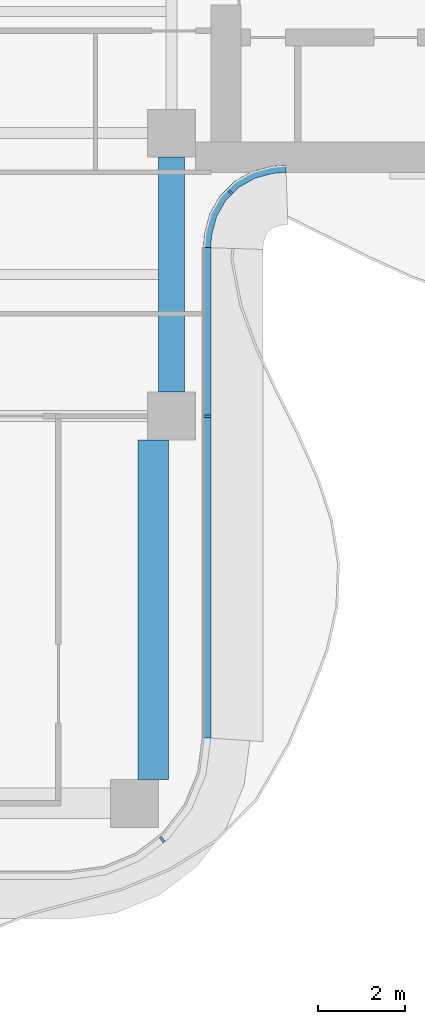
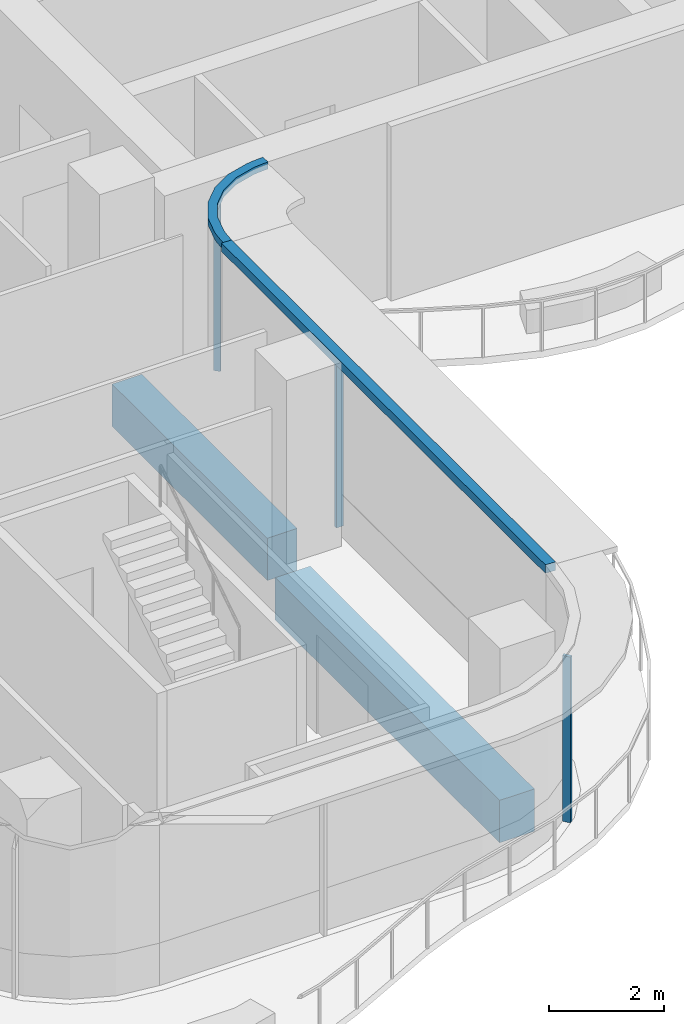
# One storey, part 5 of 16: 5 members, 2 beams, 3 elements without a shape of their own.
"""IFC4 building model written with IfcOpenShell, lengths in metres."""

from ifc_helpers import new_model, si_unit, direction, frame, origin, origin_2d, place, context, subcontext, project, spatial, polyline, rectangle, outline, extrude, source, transform, mapped, material, layer, layer_set, material_profile, profile_set, type_object, element, aggregate, save


model = new_model("IFC4")

# Units and contexts
model_context = context("Model", 3, precision=1e-05, world=origin(), true_north=direction((0.0, 1.0)))
body_context = subcontext(model_context, "Body", "Model", "MODEL_VIEW")
ifc_project = project(units=[si_unit("LENGTHUNIT", "METRE"), si_unit("AREAUNIT", "SQUARE_METRE"), si_unit("VOLUMEUNIT", "CUBIC_METRE"), si_unit("PLANEANGLEUNIT", "RADIAN"), si_unit("MASSUNIT", "GRAM", prefix="KILO")], contexts=[model_context])

# Site, building, storey
site_placement = place(None, origin())
site = spatial("IfcSite", under=ifc_project, at=site_placement, CompositionType="ELEMENT")
building_placement = place(site_placement, origin())
building = spatial("IfcBuilding", under=site, at=building_placement, Name="Trellis Farm Tower", CompositionType="ELEMENT")
storey_placement = place(building_placement, frame((0.0, 0.0, 255.800048828125)))
storey = spatial("IfcBuildingStorey", under=building, at=storey_placement, Name="L57", CompositionType="ELEMENT", Elevation=255.800048828125)

# Beams
ifc_material_1 = material(Name="Concrete C60/75", Category="concrete")
ifc_material_profile_1 = material_profile(ifc_material_1, rectangle(XDim=0.60009765625, YDim=0.89990234375, at=origin_2d()), Name="RC spandrel beam 600x900 C60/75")
ifc_profile_set_1 = profile_set([ifc_material_profile_1], Name="Concrete C60/75")
beam_type_1 = type_object("IfcBeamType", Name="RC spandrel beam 600x900 C60/75", PredefinedType="SPANDREL", material=ifc_profile_set_1)
shared_shape_1 = source(origin(), body_context, "Body", "SweptSolid", [
    extrude(rectangle(XDim=0.60009765625, YDim=0.89990234375, at=origin_2d()), origin(), (0.0, 0.0, 1.0), 5.400146484375),
])
beam_1_placement = place(storey_placement, frame((5.60009765625, -11.550048828125, -0.650146484375), z_axis=(0.0, 1.0, 0.0), x_axis=(-1.0, 0.0, 0.0)))
element("IfcBeam", 1, at=beam_1_placement, inside=storey, type_object=beam_type_1, Name="Girder", PredefinedType="SPANDREL", context=body_context, shape_type="MappedRepresentation", body=[
    mapped(shared_shape_1, transform((0.0, 0.0, 0.0))),
])
ifc_material_profile_2 = material_profile(ifc_material_1, rectangle(XDim=0.699951171875, YDim=0.89990234375, at=origin_2d()), Name="RC spandrel beam 700x900 C60/75")
ifc_profile_set_2 = profile_set([ifc_material_profile_2], Name="Concrete C60/75")
beam_type_2 = type_object("IfcBeamType", Name="RC spandrel beam 700x900 C60/75", PredefinedType="SPANDREL", material=ifc_profile_set_2)
shared_shape_2 = source(origin(), body_context, "Body", "SweptSolid", [
    extrude(rectangle(XDim=0.699951171875, YDim=0.89990234375, at=origin_2d()), origin(), (0.0, 0.0, 1.0), 7.800048828125),
])
beam_2_placement = place(storey_placement, frame((5.175048828125, -20.449951171875, -0.650146484375), z_axis=(0.0, 1.0, 0.0), x_axis=(-1.0, 0.0, 0.0)))
element("IfcBeam", 2, at=beam_2_placement, inside=storey, type_object=beam_type_2, Name="Girder", PredefinedType="SPANDREL", context=body_context, shape_type="MappedRepresentation", body=[
    mapped(shared_shape_2, transform((0.0, 0.0, 0.0))),
])

# Curtain wall, member
ifc_material_2 = material(Name="Aluminium and glass curtain wall", Category="aluminium")
ifc_layer_1 = layer(ifc_material_2, 0.166015625)
ifc_layer_set_1 = layer_set([ifc_layer_1], Name="WINTER GARDEN CURTAIN WALL CW3")
curtain_wall_type_1 = type_object("IfcCurtainWallType", Name="WINTER GARDEN CURTAIN WALL CW3", PredefinedType="NOTDEFINED", material=ifc_layer_set_1)
placement = place(storey_placement, origin())
curtain_wall_1 = element("IfcCurtainWall", 3, at=placement, inside=storey, type_object=curtain_wall_type_1, Name="CW3 002", PredefinedType="NOTDEFINED")
ifc_material_3 = material(Name="Aluminium extrusion 6063-T6", Category="aluminium")
ifc_layer_2 = layer(ifc_material_3, 0.169921875)
ifc_layer_set_2 = layer_set([ifc_layer_2], Name="Aluminium extrusion 6063-T6")
member_type_1 = type_object("IfcMemberType", Name="CW3 TRANSOM 170x150", PredefinedType="USERDEFINED", material=ifc_layer_set_2)
shared_shape_3 = source(origin(), body_context, "Body", "SweptSolid", [
    extrude(outline(polyline([(6.5, -8.2314453125), (6.513916015625, -8.01953125), (6.527587890625, -7.91552734375), (6.63671875, -7.508544921875), (6.846923828125, -7.144287109375), (7.144287109375, -6.846923828125), (7.508544921875, -6.63671875), (7.91552734375, -6.527587890625), (8.01953125, -6.513916015625), (8.2314453125, -6.5), (8.225830078125, -6.330078125), (8.0029296875, -6.3447265625), (7.88232421875, -6.360595703125), (7.44287109375, -6.478271484375), (7.0400390625, -6.7109375), (6.7109375, -7.0400390625), (6.478271484375, -7.44287109375), (6.360595703125, -7.88232421875), (6.3447265625, -8.0029296875), (6.330078125, -8.225830078125), (6.5, -8.2314453125)])), origin(), (0.0, 0.0, 1.0), 0.14990234375),
])
member_1_placement = place(storey_placement, frame((0.0, 0.0, 3.550048828125)))
member_1 = element("IfcMember", 4, at=member_1_placement, type_object=member_type_1, Name="TR3 002", ObjectType="TRANSOM", PredefinedType="USERDEFINED", context=body_context, shape_type="MappedRepresentation", body=[
    mapped(shared_shape_3, transform((0.0, 0.0, 0.0))),
])

ifc_layer_3 = layer(ifc_material_2, 0.18994140625)
ifc_layer_set_3 = layer_set([ifc_layer_3], Name="RIBBON CURTAIN WALL CW1")
curtain_wall_type_2 = type_object("IfcCurtainWallType", Name="RIBBON CURTAIN WALL CW1", PredefinedType="NOTDEFINED", material=ifc_layer_set_3)
curtain_wall_2 = element("IfcCurtainWall", 5, at=placement, inside=storey, type_object=curtain_wall_type_2, Name="CW1 003", PredefinedType="NOTDEFINED")
ifc_material_profile_3 = material_profile(ifc_material_3, rectangle(XDim=0.06005859375, YDim=0.14990234375, at=origin_2d()), Name="MULLION 60x150")
ifc_profile_set_3 = profile_set([ifc_material_profile_3], Name="Aluminium extrusion 6063-T6")
member_type_2 = type_object("IfcMemberType", Name="CW1 MULLION 60x150", PredefinedType="MULLION", material=ifc_profile_set_3)
shared_shape_4 = source(origin(), body_context, "Body", "SweptSolid", [
    extrude(rectangle(XDim=0.06005859375, YDim=0.14990234375, at=origin_2d()), origin(), (0.0, 0.0, 1.0), 3.52001953125),
])
member_2_placement = place(storey_placement, frame((5.385498046875, -21.828369140625, 0.0), z_axis=(0.0, 0.0, 1.0), x_axis=(0.793353340291, 0.608761429009, 0.0)))
member_2 = element("IfcMember", 6, at=member_2_placement, type_object=member_type_2, Name="MU1 003-02", PredefinedType="MULLION", context=body_context, shape_type="MappedRepresentation", body=[
    mapped(shared_shape_4, transform((0.0, 0.0, 0.0))),
])
aggregate(curtain_wall_2, [member_2])

curtain_wall_3 = element("IfcCurtainWall", 7, at=placement, inside=storey, type_object=curtain_wall_type_2, Name="CW1 004", PredefinedType="NOTDEFINED")
member_3_placement = place(storey_placement, frame((6.425048828125, -12.10009765625, 0.0), z_axis=(0.0, 0.0, 1.0), x_axis=(0.0, 1.0, 0.0)))
member_3 = element("IfcMember", 8, at=member_3_placement, type_object=member_type_2, Name="MU1 004-01", PredefinedType="MULLION", context=body_context, shape_type="MappedRepresentation", body=[
    mapped(shared_shape_4, transform((0.0, 0.0, 0.0))),
])

# Member
ifc_material_profile_4 = material_profile(ifc_material_3, rectangle(XDim=0.050048828125, YDim=0.1201171875, at=origin_2d()), Name="MULLION 50x120")
ifc_profile_set_4 = profile_set([ifc_material_profile_4], Name="Aluminium extrusion 6063-T6")
member_type_3 = type_object("IfcMemberType", Name="CW3 MULLION 50x120", PredefinedType="MULLION", material=ifc_profile_set_4)
shared_shape_5 = source(origin(), body_context, "Body", "SweptSolid", [
    extrude(rectangle(XDim=0.050048828125, YDim=0.1201171875, at=origin_2d()), origin(), (0.0, 0.0, 1.0), 3.550048828125),
])
member_4_placement = place(storey_placement, frame((6.953125, -6.953125, 0.0), z_axis=(0.0, 0.0, 1.0), x_axis=(0.707106781187, 0.707106781187, 0.0)))
member_4 = element("IfcMember", 9, at=member_4_placement, type_object=member_type_3, Name="MU3 002-01", PredefinedType="MULLION", context=body_context, shape_type="MappedRepresentation", body=[
    mapped(shared_shape_5, transform((0.0, 0.0, 0.0))),
])

aggregate(curtain_wall_1, [member_4, member_1])

ifc_layer_4 = layer(ifc_material_3, 0.199951171875)
ifc_layer_set_4 = layer_set([ifc_layer_4], Name="Aluminium extrusion 6063-T6")
member_type_4 = type_object("IfcMemberType", Name="CW1 TRANSOM 200x180", PredefinedType="USERDEFINED", material=ifc_layer_set_4)
shared_shape_6 = source(origin(), body_context, "Body", "SweptSolid", [
    extrude(outline(polyline([(6.5, -19.5), (6.5, -8.2314453125), (6.300048828125, -8.224853515625), (6.300048828125, -19.48681640625), (6.5, -19.5)])), origin(), (0.0, 0.0, 1.0), 0.179931640625),
])
member_5_placement = place(storey_placement, frame((0.0, 0.0, 3.52001953125)))
member_5 = element("IfcMember", 10, at=member_5_placement, type_object=member_type_4, Name="TR1 004", ObjectType="TRANSOM", PredefinedType="USERDEFINED", context=body_context, shape_type="MappedRepresentation", body=[
    mapped(shared_shape_6, transform((0.0, 0.0, 0.0))),
])

aggregate(curtain_wall_3, [member_3, member_5])

save(model, "model.ifc")
